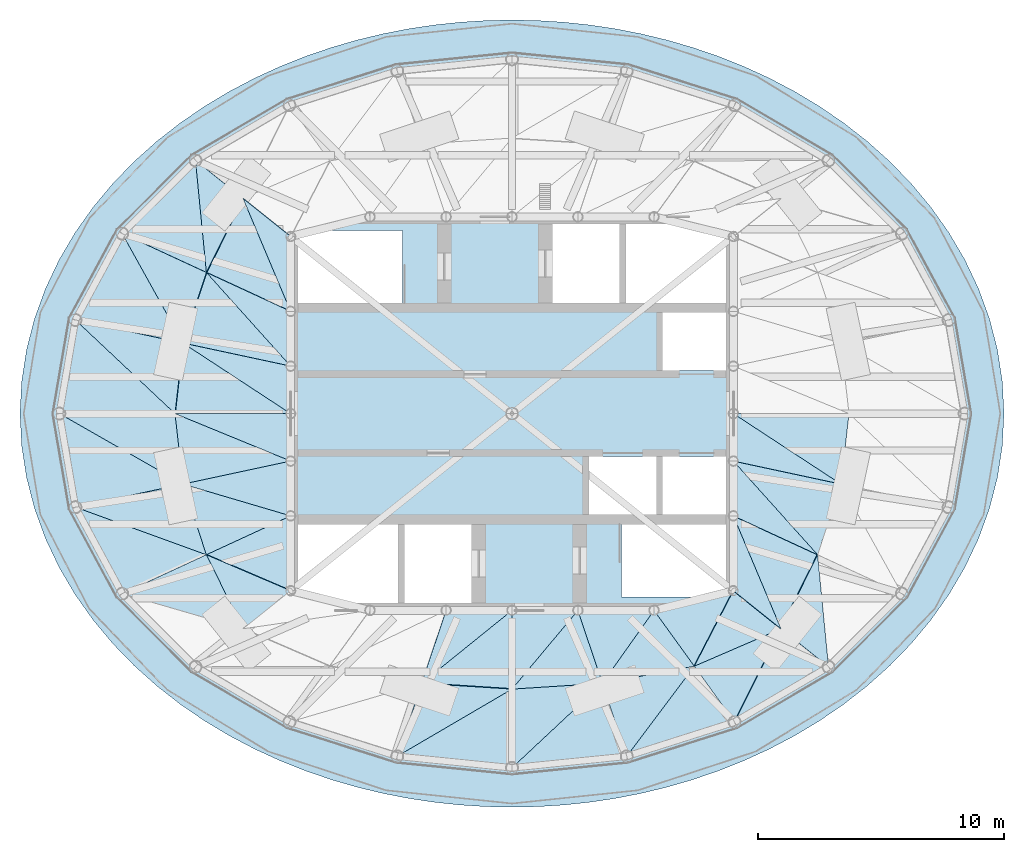
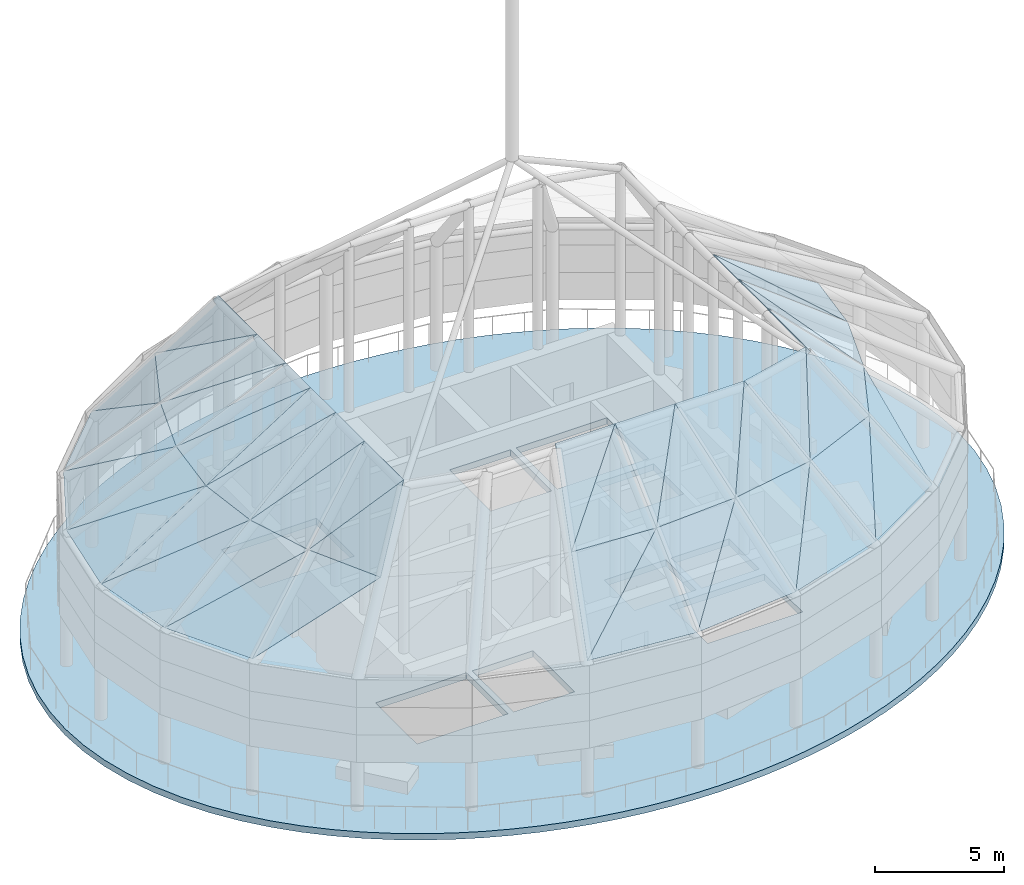
# One storey, part 4 of 8: 46 plates, 1 slab.
"""IFC4 building model written with IfcOpenShell, lengths in metres."""

import ifcopenshell
import ifcopenshell.guid

model = None  # the IFC model being written
_history = None  # IfcOwnerHistory: only IFC2X3 demands one
_inside = {}  # id of a spatial element -> (the spatial element, [elements in it])
_under = {}  # id of a project, library or spatial element -> (it, [spatial elements below it])
_declared = {}  # id of a project -> (the project, [libraries it declares])
_typed = {}  # id of a type object -> (the type object, [elements of that type])
_made_of = {}  # id of a material, layer set ... -> (it, [elements and type objects made of it])


def new_model(schema):
    """Start an empty IFC model of exactly this schema.

    Asked for "IFC4X3", IfcOpenShell would pick the latest addendum, in which some entities
    have other attributes; the version numbers below select the first issue.
    IFC2X3 requires an IfcOwnerHistory on every rooted entity: one is made here for all.
    """
    global model, _history
    if schema == "IFC4X3":
        model = ifcopenshell.file(schema_version=(4, 3, 0, 0))
    else:
        model = ifcopenshell.file(schema=schema)
    _inside.clear()
    _under.clear()
    _declared.clear()
    _typed.clear()
    _made_of.clear()
    _history = None
    if model.schema == "IFC2X3":
        org = make("IfcOrganization", Name="unknown")
        user = make(
            "IfcPersonAndOrganization",
            ThePerson=make("IfcPerson", FamilyName="unknown"),
            TheOrganization=org,
        )
        app = make(
            "IfcApplication",
            ApplicationDeveloper=org,
            Version="unknown",
            ApplicationFullName="unknown",
            ApplicationIdentifier="unknown",
        )
        _history = make(
            "IfcOwnerHistory",
            OwningUser=user,
            OwningApplication=app,
            ChangeAction="ADDED",
            CreationDate=0,
        )
    return model


def make(cls, **values):
    """One entity of the class cls with the attributes given. An attribute that is None is left unset."""
    return model.create_entity(
        cls, **{name: value for name, value in values.items() if value is not None}
    )


def rooted(cls, **values):
    """An entity with a GlobalId (a new one), such as an element, a storey or a relation."""
    return make(cls, GlobalId=ifcopenshell.guid.new(), OwnerHistory=_history, **values)


def si_unit(unit_type, name, prefix=None):
    """IfcSIUnit, for example si_unit("LENGTHUNIT", "METRE", prefix="MILLI")."""
    return make("IfcSIUnit", UnitType=unit_type, Prefix=prefix, Name=name)


def assignment(units):
    """IfcUnitAssignment: the units of a project."""
    return None if units is None else make("IfcUnitAssignment", Units=units)


def point(xyz):
    """IfcCartesianPoint."""
    return None if xyz is None else make("IfcCartesianPoint", Coordinates=xyz)


def direction(xyz):
    """IfcDirection."""
    return None if xyz is None else make("IfcDirection", DirectionRatios=xyz)


def frame(location, z_axis=None, x_axis=None):
    """IfcAxis2Placement3D, a coordinate frame: its origin and axes. An axis left out is left unset."""
    return make(
        "IfcAxis2Placement3D",
        Location=point(location),
        Axis=direction(z_axis),
        RefDirection=direction(x_axis),
    )


def origin():
    """The frame at (0, 0, 0) with its axes left unset."""
    return frame((0.0, 0.0, 0.0))


def place(relative_to, where):
    """IfcLocalPlacement: puts the frame where relative to a parent placement (None: the world)."""
    return make(
        "IfcLocalPlacement", PlacementRelTo=relative_to, RelativePlacement=where
    )


def context(
    kind, dimensions, precision=None, world=None, true_north=None, identifier=None
):
    """IfcGeometricRepresentationContext, for example the 3D "Model" context."""
    return make(
        "IfcGeometricRepresentationContext",
        ContextIdentifier=identifier,
        ContextType=kind,
        CoordinateSpaceDimension=dimensions,
        Precision=precision,
        WorldCoordinateSystem=world,
        TrueNorth=true_north,
    )


def subcontext(parent, identifier, kind, view, scale=None):
    """IfcGeometricRepresentationSubContext, for example "Body" below "Model"."""
    return make(
        "IfcGeometricRepresentationSubContext",
        ContextIdentifier=identifier,
        ContextType=kind,
        ParentContext=parent,
        TargetScale=scale,
        TargetView=view,
    )


def project(units=None, contexts=None):
    """IfcProject with its units and contexts."""
    return rooted(
        "IfcProject",
        Name="project",
        RepresentationContexts=contexts,
        UnitsInContext=assignment(units),
    )


def spatial(cls, under=None, at=None, **own):
    """A site, building, storey or space (cls), placed at a placement, below another one or the project."""
    s = rooted(cls, ObjectPlacement=at, **own)
    if under is not None:
        _under.setdefault(under.id(), (under, []))[1].append(s)
    return s


def polyline(points):
    """IfcPolyline through the points."""
    return make("IfcPolyline", Points=[point(p) for p in points])


def outline(outer, holes=None, kind="AREA"):
    """IfcArbitraryClosedProfileDef: a profile drawn as a closed curve; with holes, ...WithVoids."""
    if holes is None:
        return make("IfcArbitraryClosedProfileDef", ProfileType=kind, OuterCurve=outer)
    return make(
        "IfcArbitraryProfileDefWithVoids",
        ProfileType=kind,
        OuterCurve=outer,
        InnerCurves=holes,
    )


def extrude(swept, where, along, depth):
    """IfcExtrudedAreaSolid: the profile swept, set in the frame where, extruded along a direction by depth."""
    return make(
        "IfcExtrudedAreaSolid",
        SweptArea=swept,
        Position=where,
        ExtrudedDirection=direction(along),
        Depth=depth,
    )


def shape(context_of_items, identifier, shape_type, items):
    """IfcShapeRepresentation: the items that make up one representation, for example the "Body"."""
    return make(
        "IfcShapeRepresentation",
        ContextOfItems=context_of_items,
        RepresentationIdentifier=identifier,
        RepresentationType=shape_type,
        Items=items,
    )


def material(Name=None, Category=None):
    """IfcMaterial."""
    return make("IfcMaterial", Name=Name, Category=Category)


def layer(
    of_material, thickness, ventilated=None, Name=None, Category=None, Priority=None
):
    """IfcMaterialLayer: one layer of a wall or slab, of a material (None: an air gap)."""
    return make(
        "IfcMaterialLayer",
        Material=of_material,
        LayerThickness=thickness,
        IsVentilated=ventilated,
        Name=Name,
        Category=Category,
        Priority=Priority,
    )


def layer_set(layers, Name=None):
    """IfcMaterialLayerSet."""
    return make("IfcMaterialLayerSet", MaterialLayers=layers, LayerSetName=Name)


def made_of(thing, what):
    """Note that an element or type object is made of a material, layer set ...; save() writes the relation."""
    if what is not None:
        _made_of.setdefault(what.id(), (what, []))[1].append(thing)
    return thing


def type_object(cls, material=None, **own):
    """A type object (cls), such as IfcWallType, which elements share."""
    return made_of(rooted(cls, **own), material)


def element(
    cls,
    number,
    at=None,
    inside=None,
    cuts=None,
    type_object=None,
    material=None,
    context=None,
    identifier="Body",
    shape_type=None,
    held_by="IfcProductDefinitionShape",
    body=None,
    shapes=None,
    **own,
):
    """One element of the class cls, such as IfcWall. Its Tag is "e" and its number.

    at: its placement. inside: the storey or other place that contains it. cuts: it is an
    opening in that element (IfcRelVoidsElement). A single representation is given by context,
    identifier, shape_type and body (its items); several are given by shapes. held_by: the class
    of the entity that holds the representations. save() writes the other relations.
    """
    e = rooted(cls, Tag="e%d" % number, ObjectPlacement=at, **own)
    if body is not None:
        shapes = [shape(context, identifier, shape_type, body)]
    if shapes is not None:
        e.Representation = make(held_by, Representations=shapes)
    if inside is not None:
        _inside.setdefault(inside.id(), (inside, []))[1].append(e)
    if cuts is not None:
        rooted(
            "IfcRelVoidsElement", RelatingBuildingElement=cuts, RelatedOpeningElement=e
        )
    if type_object is not None:
        _typed.setdefault(type_object.id(), (type_object, []))[1].append(e)
    return made_of(e, material)


def aggregate(whole, parts):
    """IfcRelAggregates: a whole, such as a stair, and the parts it consists of."""
    return rooted("IfcRelAggregates", RelatingObject=whole, RelatedObjects=parts)


def save(model, path):
    """Write the relations noted so far, then the file.

    IfcRelAggregates (storeys below a building ...), IfcRelContainedInSpatialStructure (elements
    in a storey), IfcRelDefinesByType, IfcRelAssociatesMaterial and IfcRelDeclares: one each for
    every whole, place, type object, material and project.
    """
    for whole, parts in _under.values():
        aggregate(whole, parts)
    for where, things in _inside.values():
        rooted(
            "IfcRelContainedInSpatialStructure",
            RelatedElements=things,
            RelatingStructure=where,
        )
    for kind, things in _typed.values():
        rooted("IfcRelDefinesByType", RelatedObjects=things, RelatingType=kind)
    for what, things in _made_of.values():
        rooted("IfcRelAssociatesMaterial", RelatedObjects=things, RelatingMaterial=what)
    for by, libraries in _declared.values():
        rooted("IfcRelDeclares", RelatingContext=by, RelatedDefinitions=libraries)
    model.write(path)


model = new_model("IFC4")

# Units and contexts
model_context = context("Model", 3, precision=1e-05, world=origin(), true_north=direction((0.0, 1.0)))
body_context = subcontext(model_context, "Body", "Model", "MODEL_VIEW")
ifc_project = project(units=[si_unit("LENGTHUNIT", "METRE"), si_unit("AREAUNIT", "SQUARE_METRE"), si_unit("VOLUMEUNIT", "CUBIC_METRE"), si_unit("PLANEANGLEUNIT", "RADIAN"), si_unit("MASSUNIT", "GRAM", prefix="KILO")], contexts=[model_context])

# Site, building, storey
site_placement = place(None, origin())
site = spatial("IfcSite", under=ifc_project, at=site_placement, CompositionType="ELEMENT")
building_placement = place(site_placement, origin())
building = spatial("IfcBuilding", under=site, at=building_placement, Name="Hankou Lantern Tower", CompositionType="ELEMENT")
storey_placement = place(building_placement, frame((0.0, 0.0, 248.699951171875)))
storey = spatial("IfcBuildingStorey", under=building, at=storey_placement, Name="RF", CompositionType="ELEMENT", Elevation=248.699951171875)

# Plates
ifc_material_1 = material(Name="Glass, dark grey tinted laminated", Category="glass")
ifc_layer_1 = layer(ifc_material_1, 0.030029296875)
ifc_layer_set_1 = layer_set([ifc_layer_1], Name="Glass, dark grey tinted laminated")
plate_type = type_object("IfcPlateType", Name="GL1 CANOPY GLASS PANEL", PredefinedType="USERDEFINED", material=ifc_layer_set_1)
plate_1_placement = place(storey_placement, frame((-12.866943359375, 10.293701171875, 6.300048828125), z_axis=(-0.456994914491, 0.457707562503, 0.762666005114), x_axis=(-0.707657475865, -0.706555657293, 0.0)))
element("IfcPlate", 1, at=plate_1_placement, inside=storey, type_object=plate_type, Name="Canopy glass R10 panel 1", ObjectType="CANOPY GLAZING", PredefinedType="USERDEFINED", context=body_context, shape_type="SweptSolid", body=[
    extrude(outline(polyline([(0.0, 0.0), (4.210014234969568, 2.220446049250313e-16), (2.904738103993282, 4.638272559856971), (0.0, 0.0)])), origin(), (0.0, 0.0, -1.0), 0.030029296875),
])
plate_2_placement = place(storey_placement, frame((-12.866943359375, 10.293701171875, 6.300048828125), z_axis=(-0.697655948822, 0.345374792581, 0.627688162803), x_axis=(0.081101281724, -0.832425696902, 0.548169719375)))
element("IfcPlate", 2, at=plate_2_placement, inside=storey, type_object=plate_type, Name="Canopy glass R10 panel 2", ObjectType="CANOPY GLAZING", PredefinedType="USERDEFINED", context=body_context, shape_type="SweptSolid", body=[
    extrude(outline(polyline([(0.0, 0.0), (5.472757604015788, 4.440892098500626e-16), (3.088964789361036, 2.3640980326084615), (0.0, 0.0)])), origin(), (0.0, 0.0, -1.0), 0.030029296875),
])
plate_3_placement = place(storey_placement, frame((-10.93359375, 8.746826171875, 9.300048828125), z_axis=(-0.558103032082, 0.276289078118, 0.782422744361), x_axis=(-0.443661366366, -0.896194505671, 0.0)))
element("IfcPlate", 3, at=plate_3_placement, inside=storey, type_object=plate_type, Name="Canopy glass R10 panel 3", ObjectType="CANOPY GLAZING", PredefinedType="USERDEFINED", context=body_context, shape_type="SweptSolid", body=[
    extrude(outline(polyline([(0.0, 0.0), (3.357294698262698, 0.0), (3.2555319055144407, 4.817360527470477), (0.0, 0.0)])), origin(), (0.0, 0.0, -1.0), 0.030029296875),
])
plate_4_placement = place(storey_placement, frame((-10.93359375, 8.746826171875, 9.300048828125), z_axis=(-0.840537810493, 0.0, 0.541752885669), x_axis=(0.33256142322, -0.789413479361, 0.515974086936)))
element("IfcPlate", 4, at=plate_4_placement, inside=storey, type_object=plate_type, Name="Canopy glass R10 panel 4", ObjectType="CANOPY GLAZING", PredefinedType="USERDEFINED", context=body_context, shape_type="SweptSolid", body=[
    extrude(outline(polyline([(0.0, 0.0), (5.8142454746470005, -8.881784197001252e-16), (3.4120849261227275, 1.867962395925069), (0.0, 0.0)])), origin(), (0.0, 0.0, -1.0), 0.030029296875),
])
plate_5_placement = place(storey_placement, frame((-15.84619140625, 7.319091796875, 6.300048828125), z_axis=(-0.503911829572, 0.272414098045, 0.819672756168), x_axis=(-0.475556651725, -0.879685097634, 0.0)))
element("IfcPlate", 5, at=plate_5_placement, inside=storey, type_object=plate_type, Name="Canopy glass R11 panel 1", ObjectType="CANOPY GLAZING", PredefinedType="USERDEFINED", context=body_context, shape_type="SweptSolid", body=[
    extrude(outline(polyline([(0.0, 0.0), (3.99562592065885, 2.220446049250313e-16), (2.7406991699786127, 5.237137010941609), (0.0, 0.0)])), origin(), (0.0, 0.0, -1.0), 0.030029296875),
])
plate_6_placement = place(storey_placement, frame((-15.84619140625, 7.319091796875, 6.300048828125), z_axis=(-0.593403353884, 0.196371554572, 0.780583545916), x_axis=(0.418360972609, -0.753248006464, 0.507534764678)))
element("IfcPlate", 6, at=plate_6_placement, inside=storey, type_object=plate_type, Name="Canopy glass R11 panel 2", ObjectType="CANOPY GLAZING", PredefinedType="USERDEFINED", context=body_context, shape_type="SweptSolid", body=[
    extrude(outline(polyline([(0.0, 0.0), (5.910925140085592, -2.220446049250313e-16), (4.145620233194915, 2.455840182044324), (0.0, 0.0)])), origin(), (0.0, 0.0, -1.0), 0.030029296875),
])
plate_7_placement = place(storey_placement, frame((-12.423095703125, 5.738037109375, 9.300048828125), z_axis=(-0.530985308862, 0.175715910389, 0.828962315554), x_axis=(-0.314168619848, -0.949367198877, 0.0)))
element("IfcPlate", 7, at=plate_7_placement, inside=storey, type_object=plate_type, Name="Canopy glass R11 panel 3", ObjectType="CANOPY GLAZING", PredefinedType="USERDEFINED", context=body_context, shape_type="SweptSolid", body=[
    extrude(outline(polyline([(0.0, 0.0), (3.0244755601650675, 0.0), (2.5405565065409665, 5.363804890829448), (0.0, 0.0)])), origin(), (0.0, 0.0, -1.0), 0.030029296875),
])
plate_8_placement = place(storey_placement, frame((-12.423095703125, 5.738037109375, 9.300048828125), z_axis=(-0.659100587128, 0.0, 0.752054795908), x_axis=(0.576759274372, -0.641753187324, 0.505471647064)))
element("IfcPlate", 8, at=plate_8_placement, inside=storey, type_object=plate_type, Name="Canopy glass R11 panel 4", ObjectType="CANOPY GLAZING", PredefinedType="USERDEFINED", context=body_context, shape_type="SweptSolid", body=[
    extrude(outline(polyline([(0.0, 0.0), (5.935050991340642, 0.0), (4.505364020067674, 1.7085119737064214), (0.0, 0.0)])), origin(), (0.0, 0.0, -1.0), 0.030029296875),
])
plate_9_placement = place(storey_placement, frame((-17.746337890625, 3.80419921875, 6.300048828125), z_axis=(-0.535755454372, 0.09204321341, 0.839341491871), x_axis=(-0.169320180804, -0.98556109723, 0.0)))
element("IfcPlate", 9, at=plate_9_placement, inside=storey, type_object=plate_type, Name="Canopy glass R12 panel 1", ObjectType="CANOPY GLAZING", PredefinedType="USERDEFINED", context=body_context, shape_type="SweptSolid", body=[
    extrude(outline(polyline([(0.0, 0.0), (3.859932407481599, 0.0), (3.0641358252909736, 5.518718041156198), (0.0, 0.0)])), origin(), (0.0, 0.0, -1.0), 0.030029296875),
])
plate_10_placement = place(storey_placement, frame((-17.746337890625, 3.80419921875, 6.300048828125), z_axis=(-0.555306707488, 0.063277156755, 0.829234865434), x_axis=(0.641031698263, -0.602664168115, 0.475262308933)))
element("IfcPlate", 10, at=plate_10_placement, inside=storey, type_object=plate_type, Name="Canopy glass R12 panel 2", ObjectType="CANOPY GLAZING", PredefinedType="USERDEFINED", context=body_context, shape_type="SweptSolid", body=[
    extrude(outline(polyline([(0.0, 0.0), (6.312303634459809, 1.1102230246251565e-16), (4.7940462492722, 2.4534803404116414), (0.0, 0.0)])), origin(), (0.0, 0.0, -1.0), 0.030029296875),
])
plate_11_placement = place(storey_placement, frame((-13.373291015625, 2.86669921875, 9.300048828125), z_axis=(-0.537031058597, 0.061194647965, 0.841339917728), x_axis=(-0.113217254498, -0.993570255837, 0.0)))
element("IfcPlate", 11, at=plate_11_placement, inside=storey, type_object=plate_type, Name="Canopy glass R12 panel 3", ObjectType="CANOPY GLAZING", PredefinedType="USERDEFINED", context=body_context, shape_type="SweptSolid", body=[
    extrude(outline(polyline([(0.0, 0.0), (2.8852506422255826, 5.551115123125783e-17), (2.353135074273472, 5.550350803359388), (0.0, 0.0)])), origin(), (0.0, 0.0, -1.0), 0.030029296875),
])
plate_12_placement = place(storey_placement, frame((-13.373291015625, 2.86669921875, 9.300048828125), z_axis=(-0.565678643812, 0.0, 0.824625776904), x_axis=(0.725427766475, -0.475519055097, 0.497630569667)))
element("IfcPlate", 12, at=plate_12_placement, inside=storey, type_object=plate_type, Name="Canopy glass R12 panel 4", ObjectType="CANOPY GLAZING", PredefinedType="USERDEFINED", context=body_context, shape_type="SweptSolid", body=[
    extrude(outline(polyline([(0.0, 0.0), (6.0285685463572705, 2.220446049250313e-16), (5.111197556763816, 1.697127011474963), (0.0, 0.0)])), origin(), (0.0, 0.0, -1.0), 0.030029296875),
])
plate_13_placement = place(storey_placement, frame((-18.39990234375, 0.0, 6.300048828125), z_axis=(-0.549338209606, -0.094376741568, 0.830253312019), x_axis=(0.169320180804, -0.98556109723, 0.0)))
element("IfcPlate", 13, at=plate_13_placement, inside=storey, type_object=plate_type, Name="Canopy glass R13 panel 1", ObjectType="CANOPY GLAZING", PredefinedType="USERDEFINED", context=body_context, shape_type="SweptSolid", body=[
    extrude(outline(polyline([(0.0, 0.0), (3.859932407481599, 0.0), (3.6764139663669955, 5.382264040598354), (0.0, 0.0)])), origin(), (0.0, 0.0, -1.0), 0.030029296875),
])
plate_14_placement = place(storey_placement, frame((-18.39990234375, 0.0, 6.300048828125), z_axis=(-0.537031058597, -0.061194647965, 0.841339917728), x_axis=(0.771185026963, -0.439810315537, 0.460261382841)))
element("IfcPlate", 14, at=plate_14_placement, inside=storey, type_object=plate_type, Name="Canopy glass R13 panel 2", ObjectType="CANOPY GLAZING", PredefinedType="USERDEFINED", context=body_context, shape_type="SweptSolid", body=[
    extrude(outline(polyline([(0.0, 0.0), (6.518035429085702, 1.1102230246251565e-16), (5.005316119731125, 2.456898768685626), (0.0, 0.0)])), origin(), (0.0, 0.0, -1.0), 0.030029296875),
])
plate_15_placement = place(storey_placement, frame((-13.699951171875, 0.0, 9.300048828125), z_axis=(-0.555285898564, -0.06327478558, 0.829248980925), x_axis=(0.113217254498, -0.993570255837, 0.0)))
element("IfcPlate", 15, at=plate_15_placement, inside=storey, type_object=plate_type, Name="Canopy glass R13 panel 3", ObjectType="CANOPY GLAZING", PredefinedType="USERDEFINED", context=body_context, shape_type="SweptSolid", body=[
    extrude(outline(polyline([(0.0, 0.0), (2.8852506422255826, -5.551115123125783e-17), (2.448910529286129, 5.3678848593450965), (0.0, 0.0)])), origin(), (0.0, 0.0, -1.0), 0.030029296875),
])
plate_16_placement = place(storey_placement, frame((-13.699951171875, 0.0, 9.300048828125), z_axis=(-0.538039424477, 0.0, 0.842919674529), x_axis=(0.796586439732, -0.326976575075, 0.508464712037)))
element("IfcPlate", 16, at=plate_16_placement, inside=storey, type_object=plate_type, Name="Canopy glass R13 panel 4", ObjectType="CANOPY GLAZING", PredefinedType="USERDEFINED", context=body_context, shape_type="SweptSolid", body=[
    extrude(outline(polyline([(0.0, 0.0), (5.900114460214716, 5.551115123125783e-16), (5.269311507030963, 1.8231558517801671), (0.0, 0.0)])), origin(), (0.0, 0.0, -1.0), 0.030029296875),
])
plate_17_placement = place(storey_placement, frame((-17.746337890625, -3.80419921875, 6.300048828125), z_axis=(-0.54836362822, -0.296444684201, 0.781932145684), x_axis=(0.475556651725, -0.879685097634, 0.0)))
element("IfcPlate", 17, at=plate_17_placement, inside=storey, type_object=plate_type, Name="Canopy glass R14 panel 1", ObjectType="CANOPY GLAZING", PredefinedType="USERDEFINED", context=body_context, shape_type="SweptSolid", body=[
    extrude(outline(polyline([(0.0, 0.0), (3.99562592065885, 0.0), (4.232671604633307, 4.812600904015172), (0.0, 0.0)])), origin(), (0.0, 0.0, -1.0), 0.030029296875),
])
plate_18_placement = place(storey_placement, frame((-17.746337890625, -3.80419921875, 6.300048828125), z_axis=(-0.531004329742, -0.17572220486, 0.828948797282), x_axis=(0.830574873354, -0.30173287341, 0.468084023288)))
element("IfcPlate", 18, at=plate_18_placement, inside=storey, type_object=plate_type, Name="Canopy glass R14 panel 2", ObjectType="CANOPY GLAZING", PredefinedType="USERDEFINED", context=body_context, shape_type="SweptSolid", body=[
    extrude(outline(polyline([(0.0, 0.0), (6.409105739024497, 0.0), (4.753520355414073, 2.5311043936612583), (0.0, 0.0)])), origin(), (0.0, 0.0, -1.0), 0.030029296875),
])
plate_19_placement = place(storey_placement, frame((-13.373291015625, -2.86669921875, 9.300048828125), z_axis=(-0.593403353884, -0.196371554572, 0.780583545916), x_axis=(0.314168619848, -0.949367198877, 0.0)))
element("IfcPlate", 19, at=plate_19_placement, inside=storey, type_object=plate_type, Name="Canopy glass R14 panel 3", ObjectType="CANOPY GLAZING", PredefinedType="USERDEFINED", context=body_context, shape_type="SweptSolid", body=[
    extrude(outline(polyline([(0.0, 0.0), (3.0244755601650675, 0.0), (2.598903352879483, 4.7996048185246085), (0.0, 0.0)])), origin(), (0.0, 0.0, -1.0), 0.030029296875),
])
plate_20_placement = place(storey_placement, frame((-13.373291015625, -2.86669921875, 9.300048828125), z_axis=(-0.565678643812, 0.0, 0.824625776904), x_axis=(0.80125258731, -0.236399258859, 0.549645050682)))
element("IfcPlate", 20, at=plate_20_placement, inside=storey, type_object=plate_type, Name="Canopy glass R14 panel 4", ObjectType="CANOPY GLAZING", PredefinedType="USERDEFINED", context=body_context, shape_type="SweptSolid", body=[
    extrude(outline(polyline([(0.0, 0.0), (5.458067886314062, 2.220446049250313e-16), (4.931421588197499, 2.164638925272759), (0.0, 0.0)])), origin(), (0.0, 0.0, -1.0), 0.030029296875),
])
plate_21_placement = place(storey_placement, frame((-15.84619140625, -7.319091796875, 6.300048828125), z_axis=(-0.558103032082, -0.276289078118, 0.782422744361), x_axis=(0.82834720316, -0.240740206942, 0.505850831549)))
element("IfcPlate", 21, at=plate_21_placement, inside=storey, type_object=plate_type, Name="Canopy glass R15 panel 2", ObjectType="CANOPY GLAZING", PredefinedType="USERDEFINED", context=body_context, shape_type="SweptSolid", body=[
    extrude(outline(polyline([(0.0, 0.0), (5.930602092346917, 2.220446049250313e-16), (3.9724408138246377, 2.727092242348764), (0.0, 0.0)])), origin(), (0.0, 0.0, -1.0), 0.030029296875),
])
plate_22_placement = place(storey_placement, frame((-12.423095703125, -5.738037109375, 9.300048828125), z_axis=(-0.697631086496, -0.345362484478, 0.627722567277), x_axis=(0.443661366366, -0.896194505671, 0.0)))
element("IfcPlate", 22, at=plate_22_placement, inside=storey, type_object=plate_type, Name="Canopy glass R15 panel 3", ObjectType="CANOPY GLAZING", PredefinedType="USERDEFINED", context=body_context, shape_type="SweptSolid", body=[
    extrude(outline(polyline([(0.0, 0.0), (3.357294698262698, 1.1102230246251565e-16), (2.8288546674255315, 3.8538757361223883), (0.0, 0.0)])), origin(), (0.0, 0.0, -1.0), 0.030029296875),
])
plate_23_placement = place(storey_placement, frame((-12.423095703125, -5.738037109375, 9.300048828125), z_axis=(-0.659100587128, 0.0, 0.752054795908), x_axis=(0.716028894414, -0.305797091488, 0.627527498364)))
element("IfcPlate", 23, at=plate_23_placement, inside=storey, type_object=plate_type, Name="Canopy glass R15 panel 4", ObjectType="CANOPY GLAZING", PredefinedType="USERDEFINED", context=body_context, shape_type="SweptSolid", body=[
    extrude(outline(polyline([(0.0, 0.0), (4.780666995188861, 1.1102230246251565e-16), (3.8501360019508963, 2.897200525352039), (0.0, 0.0)])), origin(), (0.0, 0.0, -1.0), 0.030029296875),
])
plate_24_placement = place(storey_placement, frame((-4.66552734375, -13.929443359375, 6.300048828125), z_axis=(-0.068803869817, -0.68232587037, 0.727803156164), x_axis=(0.994954369815, -0.100328470467, 0.0)))
element("IfcPlate", 24, at=plate_24_placement, inside=storey, type_object=plate_type, Name="Canopy glass R18 panel 1", ObjectType="CANOPY GLAZING", PredefinedType="USERDEFINED", context=body_context, shape_type="SweptSolid", body=[
    extrude(outline(polyline([(0.0, 0.0), (4.689187248474738, 0.0), (4.368141041829955, 4.37454190008316), (0.0, 0.0)])), origin(), (0.0, 0.0, -1.0), 0.030029296875),
])
plate_25_placement = place(storey_placement, frame((-4.66552734375, -13.929443359375, 6.300048828125), z_axis=(-0.045056020699, -0.703042181907, 0.70971941319), x_axis=(0.754693990463, 0.441521654285, 0.485278898734)))
element("IfcPlate", 25, at=plate_25_placement, inside=storey, type_object=plate_type, Name="Canopy glass R18 panel 2", ObjectType="CANOPY GLAZING", PredefinedType="USERDEFINED", context=body_context, shape_type="SweptSolid", body=[
    extrude(outline(polyline([(0.0, 0.0), (6.182012050853869, -2.220446049250313e-16), (3.5144143629105242, 2.5348698196798547), (0.0, 0.0)])), origin(), (0.0, 0.0, -1.0), 0.030029296875),
])
plate_26_placement = place(storey_placement, frame((-3.67236328125, -10.964599609375, 9.300048828125), z_axis=(-0.043790197117, -0.683290606885, 0.728832192744), x_axis=(0.99795271821, -0.06395601784, 0.0)))
element("IfcPlate", 26, at=plate_26_placement, inside=storey, type_object=plate_type, Name="Canopy glass R18 panel 3", ObjectType="CANOPY GLAZING", PredefinedType="USERDEFINED", context=body_context, shape_type="SweptSolid", body=[
    extrude(outline(polyline([(0.0, 0.0), (3.6798970675067064, 0.0), (3.475240933270116, 4.381529797810751), (0.0, 0.0)])), origin(), (0.0, 0.0, -1.0), 0.030029296875),
])
plate_27_placement = place(storey_placement, frame((-3.67236328125, -10.964599609375, 9.300048828125), z_axis=(0.0, -0.711290990678, 0.702897664372), x_axis=(0.656668619014, 0.530110825734, 0.536440898181)))
element("IfcPlate", 27, at=plate_27_placement, inside=storey, type_object=plate_type, Name="Canopy glass R18 panel 4", ObjectType="CANOPY GLAZING", PredefinedType="USERDEFINED", context=body_context, shape_type="SweptSolid", body=[
    extrude(outline(polyline([(0.0, 0.0), (5.592414765857381, -2.220446049250313e-16), (3.8329083953299206, 2.0207805541849586), (0.0, 0.0)])), origin(), (0.0, 0.0, -1.0), 0.030029296875),
])
plate_28_placement = place(storey_placement, frame((0.0, -14.39990234375, 6.300048828125), z_axis=(0.070359781084, -0.697755794771, 0.71287190439), x_axis=(0.994954369815, 0.100328470467, 0.0)))
element("IfcPlate", 28, at=plate_28_placement, inside=storey, type_object=plate_type, Name="Canopy glass R19 panel 1", ObjectType="CANOPY GLAZING", PredefinedType="USERDEFINED", context=body_context, shape_type="SweptSolid", body=[
    extrude(outline(polyline([(0.0, 0.0), (4.689187248474738, 5.551115123125783e-17), (3.998492563159813, 4.277804830591654), (0.0, 0.0)])), origin(), (0.0, 0.0, -1.0), 0.030029296875),
])
plate_29_placement = place(storey_placement, frame((0.0, -14.39990234375, 6.300048828125), z_axis=(0.043790197117, -0.683290606885, 0.728832192744), x_axis=(0.627158576099, 0.586673868122, 0.512333770982)))
element("IfcPlate", 29, at=plate_29_placement, inside=storey, type_object=plate_type, Name="Canopy glass R19 panel 2", ObjectType="CANOPY GLAZING", PredefinedType="USERDEFINED", context=body_context, shape_type="SweptSolid", body=[
    extrude(outline(polyline([(0.0, 0.0), (5.85555778267772, 4.440892098500626e-16), (3.4143290447500383, 2.7535512845342964), (0.0, 0.0)])), origin(), (0.0, 0.0, -1.0), 0.030029296875),
])
plate_30_placement = place(storey_placement, frame((0.0, -11.199951171875, 9.300048828125), z_axis=(0.045057967522, -0.703072559614, 0.709689196395), x_axis=(0.99795271821, 0.06395601784, 0.0)))
element("IfcPlate", 30, at=plate_30_placement, inside=storey, type_object=plate_type, Name="Canopy glass R19 panel 3", ObjectType="CANOPY GLAZING", PredefinedType="USERDEFINED", context=body_context, shape_type="SweptSolid", body=[
    extrude(outline(polyline([(0.0, 0.0), (3.6798970675067064, 0.0), (2.8786139180136403, 4.258249185933244), (0.0, 0.0)])), origin(), (0.0, 0.0, -1.0), 0.030029296875),
])
plate_31_placement = place(storey_placement, frame((0.0, -11.199951171875, 9.300048828125), z_axis=(0.0, -0.683946683262, 0.729531996868), x_axis=(0.521297373639, 0.622564435197, 0.583663063989)))
element("IfcPlate", 31, at=plate_31_placement, inside=storey, type_object=plate_type, Name="Canopy glass R19 panel 4", ObjectType="CANOPY GLAZING", PredefinedType="USERDEFINED", context=body_context, shape_type="SweptSolid", body=[
    extrude(outline(polyline([(0.0, 0.0), (5.139951771999712, 0.0), (3.743164985942843, 2.286570224243224), (0.0, 0.0)])), origin(), (0.0, 0.0, -1.0), 0.030029296875),
])
plate_32_placement = place(storey_placement, frame((4.66552734375, -13.929443359375, 6.300048828125), z_axis=(0.226409140064, -0.713399385873, 0.663174349272), x_axis=(0.953150024165, 0.302497985836, 0.0)))
element("IfcPlate", 32, at=plate_32_placement, inside=storey, type_object=plate_type, Name="Canopy glass R20 panel 1", ObjectType="CANOPY GLAZING", PredefinedType="USERDEFINED", context=body_context, shape_type="SweptSolid", body=[
    extrude(outline(polyline([(0.0, 0.0), (4.598752211217408, 0.0), (3.7241638123545506, 4.008203720270814), (0.0, 0.0)])), origin(), (0.0, 0.0, -1.0), 0.030029296875),
])
plate_33_placement = place(storey_placement, frame((4.66552734375, -13.929443359375, 6.300048828125), z_axis=(0.127225044188, -0.684102642801, 0.718204262201), x_axis=(0.501819835986, 0.668974122453, 0.548316036333)))
element("IfcPlate", 33, at=plate_33_placement, inside=storey, type_object=plate_type, Name="Canopy glass R20 panel 2", ObjectType="CANOPY GLAZING", PredefinedType="USERDEFINED", context=body_context, shape_type="SweptSolid", body=[
    extrude(outline(polyline([(0.0, 0.0), (5.471297210392063, 4.440892098500626e-16), (3.129962427912562, 2.9966662338023675), (0.0, 0.0)])), origin(), (0.0, 0.0, -1.0), 0.030029296875),
])
plate_34_placement = place(storey_placement, frame((3.67236328125, -10.964599609375, 9.300048828125), z_axis=(0.139759986033, -0.751504363101, 0.644754479275), x_axis=(0.983142933819, 0.182838649309, 0.0)))
element("IfcPlate", 34, at=plate_34_placement, inside=storey, type_object=plate_type, Name="Canopy glass R20 panel 3", ObjectType="CANOPY GLAZING", PredefinedType="USERDEFINED", context=body_context, shape_type="SweptSolid", body=[
    extrude(outline(polyline([(0.0, 0.0), (3.8028748441750744, -5.551115123125783e-17), (2.607699659914028, 3.9246995044572), (0.0, 0.0)])), origin(), (0.0, 0.0, -1.0), 0.030029296875),
])
plate_35_placement = place(storey_placement, frame((3.67236328125, -10.964599609375, 9.300048828125), z_axis=(0.0, -0.711290990678, 0.702897664372), x_axis=(0.445894388805, 0.62915356301, 0.636666308347)))
element("IfcPlate", 35, at=plate_35_placement, inside=storey, type_object=plate_type, Name="Canopy glass R20 panel 4", ObjectType="CANOPY GLAZING", PredefinedType="USERDEFINED", context=body_context, shape_type="SweptSolid", body=[
    extrude(outline(polyline([(0.0, 0.0), (4.712044536780433, -2.220446049250313e-16), (3.332449910479968, 2.7693895372996398), (0.0, 0.0)])), origin(), (0.0, 0.0, -1.0), 0.030029296875),
])
plate_36_placement = place(storey_placement, frame((9.048828125, -12.538330078125, 6.300048828125), z_axis=(0.401336211928, -0.682673158401, 0.61064441682), x_axis=(0.862064554074, 0.506798485207, 0.0)))
element("IfcPlate", 36, at=plate_36_placement, inside=storey, type_object=plate_type, Name="Canopy glass R21 panel 1", ObjectType="CANOPY GLAZING", PredefinedType="USERDEFINED", context=body_context, shape_type="SweptSolid", body=[
    extrude(outline(polyline([(0.0, 0.0), (4.42903633646638, 0.0), (3.546318074395998, 3.7883335977053174), (0.0, 0.0)])), origin(), (0.0, 0.0, -1.0), 0.030029296875),
])
plate_37_placement = place(storey_placement, frame((9.048828125, -12.538330078125, 6.300048828125), z_axis=(0.293308385405, -0.678616642819, 0.673386696587), x_axis=(0.363208970733, 0.730652242938, 0.578123294348)))
element("IfcPlate", 37, at=plate_37_placement, inside=storey, type_object=plate_type, Name="Canopy glass R21 panel 2", ObjectType="CANOPY GLAZING", PredefinedType="USERDEFINED", context=body_context, shape_type="SweptSolid", body=[
    extrude(outline(polyline([(0.0, 0.0), (5.189204498985433, 4.440892098500626e-16), (2.7974255886580046, 3.0008352181583886), (0.0, 0.0)])), origin(), (0.0, 0.0, -1.0), 0.030029296875),
])
plate_38_placement = place(storey_placement, frame((7.4111328125, -10.269287109375, 9.300048828125), z_axis=(0.320593673702, -0.741745593998, 0.589095213159), x_axis=(0.917929686015, 0.396743105211, 0.0)))
element("IfcPlate", 38, at=plate_38_placement, inside=storey, type_object=plate_type, Name="Canopy glass R21 panel 3", ObjectType="CANOPY GLAZING", PredefinedType="USERDEFINED", context=body_context, shape_type="SweptSolid", body=[
    extrude(outline(polyline([(0.0, 0.0), (3.837397342265557, 0.0), (2.6762062293215205, 3.7125789223777925), (0.0, 0.0)])), origin(), (0.0, 0.0, -1.0), 0.030029296875),
])
plate_39_placement = place(storey_placement, frame((7.4111328125, -10.269287109375, 9.300048828125), z_axis=(0.181969016676, -0.733873214646, 0.654459610514), x_axis=(0.347171507506, 0.67065768168, 0.655507603602)))
element("IfcPlate", 39, at=plate_39_placement, inside=storey, type_object=plate_type, Name="Canopy glass R21 panel 4", ObjectType="CANOPY GLAZING", PredefinedType="USERDEFINED", context=body_context, shape_type="SweptSolid", body=[
    extrude(outline(polyline([(0.0, 0.0), (4.576605951657097, 0.0), (2.9198764921672695, 2.8820185967215717), (0.0, 0.0)])), origin(), (0.0, 0.0, -1.0), 0.030029296875),
])
plate_40_placement = place(storey_placement, frame((12.866943359375, -10.293701171875, 6.300048828125), z_axis=(0.697655948822, -0.345374792581, 0.627688162803), x_axis=(-0.081101281724, 0.832425696902, 0.548169719375)))
element("IfcPlate", 40, at=plate_40_placement, inside=storey, type_object=plate_type, Name="Canopy glass R22 panel 2", ObjectType="CANOPY GLAZING", PredefinedType="USERDEFINED", context=body_context, shape_type="SweptSolid", body=[
    extrude(outline(polyline([(0.0, 0.0), (5.472757604015788, 4.440892098500626e-16), (3.088964789361036, 2.3640980326084615), (0.0, 0.0)])), origin(), (0.0, 0.0, -1.0), 0.030029296875),
])
plate_41_placement = place(storey_placement, frame((10.93359375, -8.746826171875, 9.300048828125), z_axis=(0.558103032082, -0.276289078118, 0.782422744361), x_axis=(0.443661366366, 0.896194505671, 0.0)))
element("IfcPlate", 41, at=plate_41_placement, inside=storey, type_object=plate_type, Name="Canopy glass R22 panel 3", ObjectType="CANOPY GLAZING", PredefinedType="USERDEFINED", context=body_context, shape_type="SweptSolid", body=[
    extrude(outline(polyline([(0.0, 0.0), (3.357294698262698, 0.0), (3.2555319055144407, 4.817360527470477), (0.0, 0.0)])), origin(), (0.0, 0.0, -1.0), 0.030029296875),
])
plate_42_placement = place(storey_placement, frame((10.93359375, -8.746826171875, 9.300048828125), z_axis=(0.840537810493, 0.0, 0.541752885669), x_axis=(-0.33256142322, 0.789413479361, 0.515974086936)))
element("IfcPlate", 42, at=plate_42_placement, inside=storey, type_object=plate_type, Name="Canopy glass R22 panel 4", ObjectType="CANOPY GLAZING", PredefinedType="USERDEFINED", context=body_context, shape_type="SweptSolid", body=[
    extrude(outline(polyline([(0.0, 0.0), (5.8142454746470005, -8.881784197001252e-16), (3.4120849261227275, 1.867962395925069), (0.0, 0.0)])), origin(), (0.0, 0.0, -1.0), 0.030029296875),
])
plate_43_placement = place(storey_placement, frame((12.423095703125, -5.738037109375, 9.300048828125), z_axis=(0.530985308862, -0.175715910389, 0.828962315554), x_axis=(0.314168619848, 0.949367198877, 0.0)))
element("IfcPlate", 43, at=plate_43_placement, inside=storey, type_object=plate_type, Name="Canopy glass R23 panel 3", ObjectType="CANOPY GLAZING", PredefinedType="USERDEFINED", context=body_context, shape_type="SweptSolid", body=[
    extrude(outline(polyline([(0.0, 0.0), (3.0244755601650675, 0.0), (2.5405565065409665, 5.363804890829448), (0.0, 0.0)])), origin(), (0.0, 0.0, -1.0), 0.030029296875),
])
plate_44_placement = place(storey_placement, frame((12.423095703125, -5.738037109375, 9.300048828125), z_axis=(0.659100587128, 0.0, 0.752054795908), x_axis=(-0.576759274372, 0.641753187324, 0.505471647064)))
element("IfcPlate", 44, at=plate_44_placement, inside=storey, type_object=plate_type, Name="Canopy glass R23 panel 4", ObjectType="CANOPY GLAZING", PredefinedType="USERDEFINED", context=body_context, shape_type="SweptSolid", body=[
    extrude(outline(polyline([(0.0, 0.0), (5.935050991340642, 0.0), (4.505364020067674, 1.7085119737064214), (0.0, 0.0)])), origin(), (0.0, 0.0, -1.0), 0.030029296875),
])
plate_45_placement = place(storey_placement, frame((13.373291015625, -2.86669921875, 9.300048828125), z_axis=(0.537031058597, -0.061194647965, 0.841339917728), x_axis=(0.113217254498, 0.993570255837, 0.0)))
element("IfcPlate", 45, at=plate_45_placement, inside=storey, type_object=plate_type, Name="Canopy glass R24 panel 3", ObjectType="CANOPY GLAZING", PredefinedType="USERDEFINED", context=body_context, shape_type="SweptSolid", body=[
    extrude(outline(polyline([(0.0, 0.0), (2.8852506422255826, 5.551115123125783e-17), (2.353135074273472, 5.550350803359388), (0.0, 0.0)])), origin(), (0.0, 0.0, -1.0), 0.030029296875),
])
plate_46_placement = place(storey_placement, frame((13.373291015625, -2.86669921875, 9.300048828125), z_axis=(0.565678643812, 0.0, 0.824625776904), x_axis=(-0.725427766475, 0.475519055097, 0.497630569667)))
element("IfcPlate", 46, at=plate_46_placement, inside=storey, type_object=plate_type, Name="Canopy glass R24 panel 4", ObjectType="CANOPY GLAZING", PredefinedType="USERDEFINED", context=body_context, shape_type="SweptSolid", body=[
    extrude(outline(polyline([(0.0, 0.0), (6.0285685463572705, 2.220446049250313e-16), (5.111197556763816, 1.697127011474963), (0.0, 0.0)])), origin(), (0.0, 0.0, -1.0), 0.030029296875),
])

# Slab
ifc_material_2 = material(Name="Concrete C50", Category="concrete")
ifc_layer_2 = layer(ifc_material_2, 0.300048828125)
ifc_layer_set_2 = layer_set([ifc_layer_2], Name="Concrete C50")
slab_type = type_object("IfcSlabType", Name="S7 SKY GARDEN SLAB 300", PredefinedType="ROOF", material=ifc_layer_set_2)
slab_placement = place(storey_placement, frame((0.0, 0.0, -0.300048828125)))
element("IfcSlab", 47, at=slab_placement, inside=storey, type_object=slab_type, Name="Roof garden slab", PredefinedType="ROOF", context=body_context, shape_type="SweptSolid", body=[
    extrude(outline(polyline([(20.0, 0.0), (19.93310546875, 1.306396484375), (19.734619140625, 2.59814453125), (19.408935546875, 3.860595703125), (18.964599609375, 5.08154296875), (18.4111328125, 6.249755859375), (17.760498046875, 7.356689453125), (17.025146484375, 8.39599609375), (16.2177734375, 9.36328125), (15.35009765625, 10.256591796875), (14.433837890625, 11.075439453125), (13.478759765625, 11.820556640625), (12.493896484375, 12.493896484375), (11.486572265625, 13.097900390625), (10.463134765625, 13.6357421875), (9.428466796875, 14.110595703125), (8.38623046875, 14.525390625), (7.33984375, 14.883544921875), (6.291015625, 15.187744140625), (5.241455078125, 15.440673828125), (4.19189453125, 15.64453125), (3.14306640625, 15.80126953125), (2.094970703125, 15.912109375), (1.04736328125, 15.97802734375), (0.0, 16.0), (-1.04736328125, 15.97802734375), (-2.094970703125, 15.912109375), (-3.14306640625, 15.80126953125), (-4.19189453125, 15.64453125), (-5.241455078125, 15.440673828125), (-6.291015625, 15.187744140625), (-7.33984375, 14.883544921875), (-8.38623046875, 14.525390625), (-9.428466796875, 14.110595703125), (-10.463134765625, 13.6357421875), (-11.486572265625, 13.097900390625), (-12.493896484375, 12.493896484375), (-13.478759765625, 11.820556640625), (-14.433837890625, 11.075439453125), (-15.35009765625, 10.256591796875), (-16.2177734375, 9.36328125), (-17.025146484375, 8.39599609375), (-17.760498046875, 7.356689453125), (-18.4111328125, 6.249755859375), (-18.964599609375, 5.08154296875), (-19.408935546875, 3.860595703125), (-19.734619140625, 2.59814453125), (-19.93310546875, 1.306396484375), (-20.0, 0.0), (-19.93310546875, -1.306396484375), (-19.734619140625, -2.59814453125), (-19.408935546875, -3.860595703125), (-18.964599609375, -5.08154296875), (-18.4111328125, -6.249755859375), (-17.760498046875, -7.356689453125), (-17.025146484375, -8.39599609375), (-16.2177734375, -9.36328125), (-15.35009765625, -10.256591796875), (-14.433837890625, -11.075439453125), (-13.478759765625, -11.820556640625), (-12.493896484375, -12.493896484375), (-11.486572265625, -13.097900390625), (-10.463134765625, -13.6357421875), (-9.428466796875, -14.110595703125), (-8.38623046875, -14.525390625), (-7.33984375, -14.883544921875), (-6.291015625, -15.187744140625), (-5.241455078125, -15.440673828125), (-4.19189453125, -15.64453125), (-3.14306640625, -15.80126953125), (-2.094970703125, -15.912109375), (-1.04736328125, -15.97802734375), (0.0, -16.0), (1.04736328125, -15.97802734375), (2.094970703125, -15.912109375), (3.14306640625, -15.80126953125), (4.19189453125, -15.64453125), (5.241455078125, -15.440673828125), (6.291015625, -15.187744140625), (7.33984375, -14.883544921875), (8.38623046875, -14.525390625), (9.428466796875, -14.110595703125), (10.463134765625, -13.6357421875), (11.486572265625, -13.097900390625), (12.493896484375, -12.493896484375), (13.478759765625, -11.820556640625), (14.433837890625, -11.075439453125), (15.35009765625, -10.256591796875), (16.2177734375, -9.36328125), (17.025146484375, -8.39599609375), (17.760498046875, -7.356689453125), (18.4111328125, -6.249755859375), (18.964599609375, -5.08154296875), (19.408935546875, -3.860595703125), (19.734619140625, -2.59814453125), (19.93310546875, -1.306396484375), (20.0, 0.0)]), holes=[polyline([(6.125, 4.10009765625), (8.699951171875, 4.10009765625), (8.699951171875, 1.75), (6.125, 1.75), (6.125, 4.10009765625)]), polyline([(3.125, -1.75), (5.875, -1.75), (5.875, -4.10009765625), (3.125, -4.10009765625), (3.125, -1.75)]), polyline([(6.125, -1.75), (8.699951171875, -1.75), (8.699951171875, -4.10009765625), (6.125, -4.10009765625), (6.125, -1.75)]), polyline([(1.64990234375, 7.699951171875), (4.375, 7.699951171875), (4.375, 4.5), (1.64990234375, 4.5), (1.64990234375, 7.699951171875)]), polyline([(-4.375, -4.5), (-1.64990234375, -4.5), (-1.64990234375, -7.699951171875), (-4.375, -7.699951171875), (-4.375, -4.5)]), polyline([(-8.699951171875, 7.449951171875), (-4.449951171875, 7.449951171875), (-4.449951171875, 4.5), (-8.699951171875, 4.5), (-8.699951171875, 7.449951171875)]), polyline([(4.449951171875, -4.5), (8.699951171875, -4.5), (8.699951171875, -7.449951171875), (4.449951171875, -7.449951171875), (4.449951171875, -4.5)]), polyline([(4.625, 7.699951171875), (8.699951171875, 7.699951171875), (8.699951171875, 4.5), (4.625, 4.5), (4.625, 7.699951171875)]), polyline([(-8.699951171875, -4.5), (-4.625, -4.5), (-4.625, -7.699951171875), (-8.699951171875, -7.699951171875), (-8.699951171875, -4.5)])]), origin(), (0.0, 0.0, 1.0), 0.300048828125),
])

save(model, "model.ifc")
